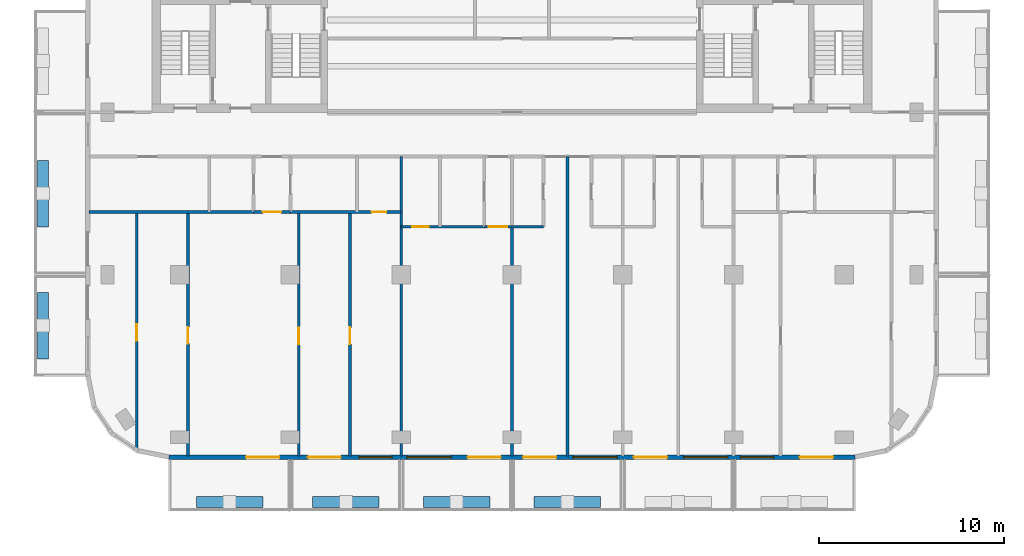
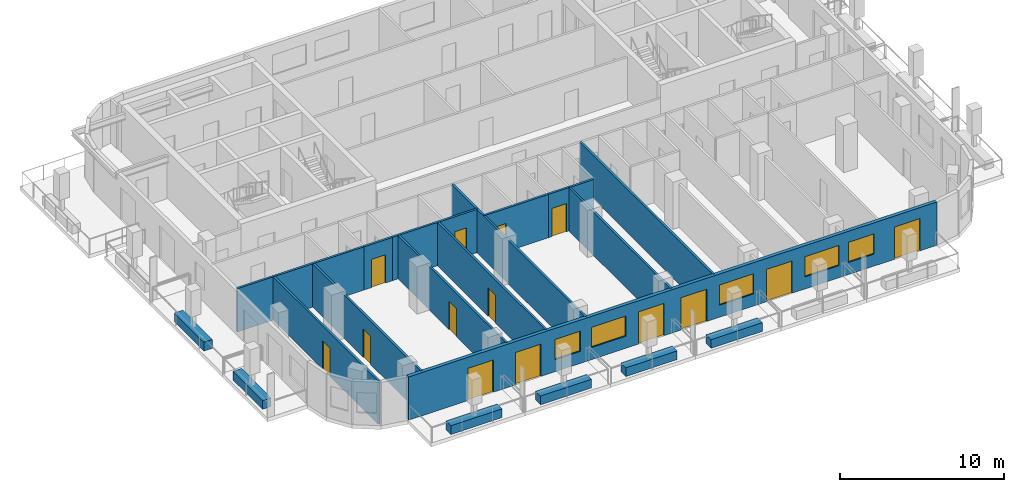
# One storey, part 2 of 11: 20 walls, 14 doors, 5 windows, 19 openings.
"""IFC4 building model written with IfcOpenShell, lengths in metres."""

from ifc_helpers import new_model, si_unit, direction, frame, frame_2d, origin, place, context, subcontext, project, spatial, rectangle, extrude, material, layer, layer_set, type_object, element, fill, save


model = new_model("IFC4")

# Units and contexts
model_context = context("Model", 3, precision=1e-05, world=origin(), true_north=direction((0.0, 1.0)))
body_context = subcontext(model_context, "Body", "Model", "MODEL_VIEW")
ifc_project = project(units=[si_unit("LENGTHUNIT", "METRE"), si_unit("AREAUNIT", "SQUARE_METRE"), si_unit("VOLUMEUNIT", "CUBIC_METRE"), si_unit("PLANEANGLEUNIT", "RADIAN"), si_unit("MASSUNIT", "GRAM", prefix="KILO")], contexts=[model_context])

# Site, building, storey
site_placement = place(None, origin())
site = spatial("IfcSite", under=ifc_project, at=site_placement, CompositionType="ELEMENT")
building_placement = place(site_placement, origin())
building = spatial("IfcBuilding", under=site, at=building_placement, Name="Torana Hotel and Residences", CompositionType="ELEMENT")
storey_placement = place(building_placement, frame((0.0, 0.0, 273.60009765625)))
storey = spatial("IfcBuildingStorey", under=building, at=storey_placement, Name="L72", CompositionType="ELEMENT", Elevation=273.60009765625)

# Wall, openings, doors, windows
ifc_material_1 = material(Name="Black aluminium composite panel", Category="aluminium")
ifc_layer_1 = layer(ifc_material_1, 0.00390625, Name="Cladding", Category="cladding")
ifc_material_2 = material(Name="Ventilated air cavity")
ifc_layer_2 = layer(ifc_material_2, 0.0400390625, Name="Ventilated cavity", Category="cavity")
ifc_material_3 = material(Name="Mineral wool insulation")
ifc_layer_3 = layer(ifc_material_3, 0.090087890625, Name="Insulation", Category="insulation")
ifc_material_4 = material(Name="Steel S280GD", Category="steel")
ifc_layer_4 = layer(ifc_material_4, 0.092041015625, Name="Steel stud frame", Category="structure")
ifc_material_5 = material(Name="Fire rated plasterboard")
ifc_layer_5 = layer(ifc_material_5, 0.011962890625, Name="Inner board", Category="finish")
ifc_layer_6 = layer(ifc_material_5, 0.011962890625, Name="Second board", Category="finish")
ifc_layer_set_1 = layer_set([ifc_layer_1, ifc_layer_2, ifc_layer_3, ifc_layer_4, ifc_layer_5, ifc_layer_6], Name="EW1 EXTERNAL WALL BLACK METAL CLAD 250")
wall_type_1 = type_object("IfcWallType", Name="EW1 EXTERNAL WALL BLACK METAL CLAD 250", PredefinedType="SOLIDWALL", material=ifc_layer_set_1)
wall_1_placement = place(storey_placement, frame((-18.575439453125, -33.675048828125, 0.0), z_axis=(0.0, 0.0, 1.0), x_axis=(1.0, 0.0, 0.0)))
wall_1 = element("IfcWall", 1, at=wall_1_placement, inside=storey, type_object=wall_type_1, Name="External wall L72 e0.14", PredefinedType="SOLIDWALL", context=body_context, shape_type="SweptSolid", body=[
    extrude(rectangle(XDim=37.15087890625, YDim=0.25, at=frame_2d((18.575439453125, 0.0))), origin(), (0.0, 0.0, 1.0), 3.219970703125),
])
opening_1_placement = place(wall_1_placement, frame((4.17529296875, 0.0, 0.0)))
opening_1 = element("IfcOpeningElement", 2, at=opening_1_placement, cuts=wall_1, Name="Opening L72-E01", PredefinedType="OPENING", context=body_context, shape_type="SweptSolid", body=[
    extrude(rectangle(XDim=1.800048828125, YDim=2.39990234375, at=frame_2d((0.89990234375, 1.199951171875))), frame((0.0, 0.135009765625, 0.0), z_axis=(0.0, -1.0, 0.0), x_axis=(1.0, 0.0, 0.0)), (0.0, 0.0, 1.0), 0.27001953125),
])
opening_2_placement = place(wall_1_placement, frame((7.512451171875, 0.0, 0.0)))
opening_2 = element("IfcOpeningElement", 3, at=opening_2_placement, cuts=wall_1, Name="Opening L72-E02", PredefinedType="OPENING", context=body_context, shape_type="SweptSolid", body=[
    extrude(rectangle(XDim=1.800048828125, YDim=2.39990234375, at=frame_2d((0.89990234375, 1.199951171875))), frame((0.0, 0.135009765625, 0.0), z_axis=(0.0, -1.0, 0.0), x_axis=(1.0, 0.0, 0.0)), (0.0, 0.0, 1.0), 0.27001953125),
])
opening_3_placement = place(wall_1_placement, frame((10.287353515625, 0.0, 0.89990234375)))
opening_3 = element("IfcOpeningElement", 4, at=opening_3_placement, cuts=wall_1, Name="Opening W4", PredefinedType="OPENING", context=body_context, shape_type="SweptSolid", body=[
    extrude(rectangle(XDim=1.800048828125, YDim=1.5, at=frame_2d((0.89990234375, 0.75))), frame((0.0, 0.135009765625, 0.0), z_axis=(0.0, -1.0, 0.0), x_axis=(1.0, 0.0, 0.0)), (0.0, 0.0, 1.0), 0.27001953125),
])
opening_4_placement = place(wall_1_placement, frame((12.87548828125, 0.0, 0.89990234375)))
opening_4 = element("IfcOpeningElement", 5, at=opening_4_placement, cuts=wall_1, Name="Opening W3", PredefinedType="OPENING", context=body_context, shape_type="SweptSolid", body=[
    extrude(rectangle(XDim=2.39990234375, YDim=1.5, at=frame_2d((1.199951171875, 0.75))), frame((0.0, 0.135009765625, 0.0), z_axis=(0.0, -1.0, 0.0), x_axis=(1.0, 0.0, 0.0)), (0.0, 0.0, 1.0), 0.27001953125),
])
opening_5_placement = place(wall_1_placement, frame((16.17529296875, 0.0, 0.0)))
opening_5 = element("IfcOpeningElement", 6, at=opening_5_placement, cuts=wall_1, Name="Opening L72-E03", PredefinedType="OPENING", context=body_context, shape_type="SweptSolid", body=[
    extrude(rectangle(XDim=1.800048828125, YDim=2.39990234375, at=frame_2d((0.89990234375, 1.199951171875))), frame((0.0, 0.135009765625, 0.0), z_axis=(0.0, -1.0, 0.0), x_axis=(1.0, 0.0, 0.0)), (0.0, 0.0, 1.0), 0.27001953125),
])
opening_6_placement = place(wall_1_placement, frame((19.17529296875, 0.0, 0.0)))
opening_6 = element("IfcOpeningElement", 7, at=opening_6_placement, cuts=wall_1, Name="Opening L72-E04", PredefinedType="OPENING", context=body_context, shape_type="SweptSolid", body=[
    extrude(rectangle(XDim=1.800048828125, YDim=2.39990234375, at=frame_2d((0.89990234375, 1.199951171875))), frame((0.0, 0.135009765625, 0.0), z_axis=(0.0, -1.0, 0.0), x_axis=(1.0, 0.0, 0.0)), (0.0, 0.0, 1.0), 0.27001953125),
])
opening_7_placement = place(wall_1_placement, frame((21.87548828125, 0.0, 0.89990234375)))
opening_7 = element("IfcOpeningElement", 8, at=opening_7_placement, cuts=wall_1, Name="Opening W3", PredefinedType="OPENING", context=body_context, shape_type="SweptSolid", body=[
    extrude(rectangle(XDim=2.39990234375, YDim=1.5, at=frame_2d((1.199951171875, 0.75))), frame((0.0, 0.135009765625, 0.0), z_axis=(0.0, -1.0, 0.0), x_axis=(1.0, 0.0, 0.0)), (0.0, 0.0, 1.0), 0.27001953125),
])
opening_8_placement = place(wall_1_placement, frame((25.17529296875, 0.0, 0.0)))
opening_8 = element("IfcOpeningElement", 9, at=opening_8_placement, cuts=wall_1, Name="Opening L72-E05", PredefinedType="OPENING", context=body_context, shape_type="SweptSolid", body=[
    extrude(rectangle(XDim=1.800048828125, YDim=2.39990234375, at=frame_2d((0.89990234375, 1.199951171875))), frame((0.0, 0.135009765625, 0.0), z_axis=(0.0, -1.0, 0.0), x_axis=(1.0, 0.0, 0.0)), (0.0, 0.0, 1.0), 0.27001953125),
])
opening_9_placement = place(wall_1_placement, frame((27.87548828125, 0.0, 0.89990234375)))
opening_9 = element("IfcOpeningElement", 10, at=opening_9_placement, cuts=wall_1, Name="Opening W3", PredefinedType="OPENING", context=body_context, shape_type="SweptSolid", body=[
    extrude(rectangle(XDim=2.39990234375, YDim=1.5, at=frame_2d((1.199951171875, 0.75))), frame((0.0, 0.135009765625, 0.0), z_axis=(0.0, -1.0, 0.0), x_axis=(1.0, 0.0, 0.0)), (0.0, 0.0, 1.0), 0.27001953125),
])
opening_10_placement = place(wall_1_placement, frame((30.950439453125, 0.0, 0.89990234375)))
opening_10 = element("IfcOpeningElement", 11, at=opening_10_placement, cuts=wall_1, Name="Opening W4", PredefinedType="OPENING", context=body_context, shape_type="SweptSolid", body=[
    extrude(rectangle(XDim=1.800048828125, YDim=1.5, at=frame_2d((0.89990234375, 0.75))), frame((0.0, 0.135009765625, 0.0), z_axis=(0.0, -1.0, 0.0), x_axis=(1.0, 0.0, 0.0)), (0.0, 0.0, 1.0), 0.27001953125),
])
opening_11_placement = place(wall_1_placement, frame((34.17529296875, 0.0, 0.0)))
opening_11 = element("IfcOpeningElement", 12, at=opening_11_placement, cuts=wall_1, Name="Opening L72-E06", PredefinedType="OPENING", context=body_context, shape_type="SweptSolid", body=[
    extrude(rectangle(XDim=1.800048828125, YDim=2.39990234375, at=frame_2d((0.89990234375, 1.199951171875))), frame((0.0, 0.135009765625, 0.0), z_axis=(0.0, -1.0, 0.0), x_axis=(1.0, 0.0, 0.0)), (0.0, 0.0, 1.0), 0.27001953125),
])
ifc_material_6 = material(Name="Dark glass in black aluminium frame", Category="aluminium")
door_type_1 = type_object("IfcDoorType", Name="DB1 BALCONY DOOR 1800x2400", OperationType="DOUBLE_DOOR_SINGLE_SWING", PredefinedType="DOOR", material=ifc_material_6)
door_1_placement = place(opening_1_placement, origin())
door_1 = element("IfcDoor", 13, at=door_1_placement, inside=storey, type_object=door_type_1, Name="Balcony door L72", OperationType="DOUBLE_DOOR_SINGLE_SWING", OverallHeight=2.39990234375, OverallWidth=1.800048828125, PredefinedType="DOOR", context=body_context, shape_type="SweptSolid", body=[
    extrude(rectangle(XDim=1.800048828125, YDim=2.39990234375, at=frame_2d((0.89990234375, 1.199951171875))), frame((0.0, 0.02490234375, 0.0), z_axis=(0.0, -1.0, 0.0), x_axis=(1.0, 0.0, 0.0)), (0.0, 0.0, 1.0), 0.050048828125),
])
fill(opening_1, door_1)
door_2_placement = place(opening_2_placement, origin())
door_2 = element("IfcDoor", 14, at=door_2_placement, inside=storey, type_object=door_type_1, Name="Balcony door L72", OperationType="DOUBLE_DOOR_SINGLE_SWING", OverallHeight=2.39990234375, OverallWidth=1.800048828125, PredefinedType="DOOR", context=body_context, shape_type="SweptSolid", body=[
    extrude(rectangle(XDim=1.800048828125, YDim=2.39990234375, at=frame_2d((0.89990234375, 1.199951171875))), frame((0.0, 0.02490234375, 0.0), z_axis=(0.0, -1.0, 0.0), x_axis=(1.0, 0.0, 0.0)), (0.0, 0.0, 1.0), 0.050048828125),
])
fill(opening_2, door_2)
door_3_placement = place(opening_5_placement, origin())
door_3 = element("IfcDoor", 15, at=door_3_placement, inside=storey, type_object=door_type_1, Name="Balcony door L72", OperationType="DOUBLE_DOOR_SINGLE_SWING", OverallHeight=2.39990234375, OverallWidth=1.800048828125, PredefinedType="DOOR", context=body_context, shape_type="SweptSolid", body=[
    extrude(rectangle(XDim=1.800048828125, YDim=2.39990234375, at=frame_2d((0.89990234375, 1.199951171875))), frame((0.0, 0.02490234375, 0.0), z_axis=(0.0, -1.0, 0.0), x_axis=(1.0, 0.0, 0.0)), (0.0, 0.0, 1.0), 0.050048828125),
])
fill(opening_5, door_3)
door_4_placement = place(opening_6_placement, origin())
door_4 = element("IfcDoor", 16, at=door_4_placement, inside=storey, type_object=door_type_1, Name="Balcony door L72", OperationType="DOUBLE_DOOR_SINGLE_SWING", OverallHeight=2.39990234375, OverallWidth=1.800048828125, PredefinedType="DOOR", context=body_context, shape_type="SweptSolid", body=[
    extrude(rectangle(XDim=1.800048828125, YDim=2.39990234375, at=frame_2d((0.89990234375, 1.199951171875))), frame((0.0, 0.02490234375, 0.0), z_axis=(0.0, -1.0, 0.0), x_axis=(1.0, 0.0, 0.0)), (0.0, 0.0, 1.0), 0.050048828125),
])
fill(opening_6, door_4)
door_5_placement = place(opening_8_placement, origin())
door_5 = element("IfcDoor", 17, at=door_5_placement, inside=storey, type_object=door_type_1, Name="Balcony door L72", OperationType="DOUBLE_DOOR_SINGLE_SWING", OverallHeight=2.39990234375, OverallWidth=1.800048828125, PredefinedType="DOOR", context=body_context, shape_type="SweptSolid", body=[
    extrude(rectangle(XDim=1.800048828125, YDim=2.39990234375, at=frame_2d((0.89990234375, 1.199951171875))), frame((0.0, 0.02490234375, 0.0), z_axis=(0.0, -1.0, 0.0), x_axis=(1.0, 0.0, 0.0)), (0.0, 0.0, 1.0), 0.050048828125),
])
fill(opening_8, door_5)
door_6_placement = place(opening_11_placement, origin())
door_6 = element("IfcDoor", 18, at=door_6_placement, inside=storey, type_object=door_type_1, Name="Balcony door L72", OperationType="DOUBLE_DOOR_SINGLE_SWING", OverallHeight=2.39990234375, OverallWidth=1.800048828125, PredefinedType="DOOR", context=body_context, shape_type="SweptSolid", body=[
    extrude(rectangle(XDim=1.800048828125, YDim=2.39990234375, at=frame_2d((0.89990234375, 1.199951171875))), frame((0.0, 0.02490234375, 0.0), z_axis=(0.0, -1.0, 0.0), x_axis=(1.0, 0.0, 0.0)), (0.0, 0.0, 1.0), 0.050048828125),
])
fill(opening_11, door_6)
ifc_material_7 = material(Name="Dark glass in black aluminium frame", Category="aluminium")
window_type_1 = type_object("IfcWindowType", Name="W3 RESIDENCE WINDOW 2400x1500", PartitioningType="SINGLE_PANEL", PredefinedType="WINDOW", material=ifc_material_7)
window_1_placement = place(opening_4_placement, origin())
window_1 = element("IfcWindow", 19, at=window_1_placement, inside=storey, type_object=window_type_1, Name="Window L72", OverallHeight=1.5, OverallWidth=2.39990234375, PartitioningType="SINGLE_PANEL", PredefinedType="WINDOW", context=body_context, shape_type="SweptSolid", body=[
    extrude(rectangle(XDim=2.39990234375, YDim=1.5, at=frame_2d((1.199951171875, 0.75))), frame((0.0, 0.030029296875, 0.0), z_axis=(0.0, -1.0, 0.0), x_axis=(1.0, 0.0, 0.0)), (0.0, 0.0, 1.0), 0.06005859375),
])
fill(opening_4, window_1)
window_2_placement = place(opening_7_placement, origin())
window_2 = element("IfcWindow", 20, at=window_2_placement, inside=storey, type_object=window_type_1, Name="Window L72", OverallHeight=1.5, OverallWidth=2.39990234375, PartitioningType="SINGLE_PANEL", PredefinedType="WINDOW", context=body_context, shape_type="SweptSolid", body=[
    extrude(rectangle(XDim=2.39990234375, YDim=1.5, at=frame_2d((1.199951171875, 0.75))), frame((0.0, 0.030029296875, 0.0), z_axis=(0.0, -1.0, 0.0), x_axis=(1.0, 0.0, 0.0)), (0.0, 0.0, 1.0), 0.06005859375),
])
fill(opening_7, window_2)
window_3_placement = place(opening_9_placement, origin())
window_3 = element("IfcWindow", 21, at=window_3_placement, inside=storey, type_object=window_type_1, Name="Window L72", OverallHeight=1.5, OverallWidth=2.39990234375, PartitioningType="SINGLE_PANEL", PredefinedType="WINDOW", context=body_context, shape_type="SweptSolid", body=[
    extrude(rectangle(XDim=2.39990234375, YDim=1.5, at=frame_2d((1.199951171875, 0.75))), frame((0.0, 0.030029296875, 0.0), z_axis=(0.0, -1.0, 0.0), x_axis=(1.0, 0.0, 0.0)), (0.0, 0.0, 1.0), 0.06005859375),
])
fill(opening_9, window_3)
ifc_material_8 = material(Name="Dark glass in black aluminium frame", Category="aluminium")
window_type_2 = type_object("IfcWindowType", Name="W4 RESIDENCE WINDOW NARROW 1800x1500", PartitioningType="SINGLE_PANEL", PredefinedType="WINDOW", material=ifc_material_8)
window_4_placement = place(opening_3_placement, origin())
window_4 = element("IfcWindow", 22, at=window_4_placement, inside=storey, type_object=window_type_2, Name="Window L72", OverallHeight=1.5, OverallWidth=1.800048828125, PartitioningType="SINGLE_PANEL", PredefinedType="WINDOW", context=body_context, shape_type="SweptSolid", body=[
    extrude(rectangle(XDim=1.800048828125, YDim=1.5, at=frame_2d((0.89990234375, 0.75))), frame((0.0, 0.030029296875, 0.0), z_axis=(0.0, -1.0, 0.0), x_axis=(1.0, 0.0, 0.0)), (0.0, 0.0, 1.0), 0.06005859375),
])
fill(opening_3, window_4)
window_5_placement = place(opening_10_placement, origin())
window_5 = element("IfcWindow", 23, at=window_5_placement, inside=storey, type_object=window_type_2, Name="Window L72", OverallHeight=1.5, OverallWidth=1.800048828125, PartitioningType="SINGLE_PANEL", PredefinedType="WINDOW", context=body_context, shape_type="SweptSolid", body=[
    extrude(rectangle(XDim=1.800048828125, YDim=1.5, at=frame_2d((0.89990234375, 0.75))), frame((0.0, 0.030029296875, 0.0), z_axis=(0.0, -1.0, 0.0), x_axis=(1.0, 0.0, 0.0)), (0.0, 0.0, 1.0), 0.06005859375),
])
fill(opening_10, window_5)

# Wall, opening, door
ifc_material_9 = material(Name="Gypsum plaster")
ifc_layer_7 = layer(ifc_material_9, 0.014892578125, Name="Plaster", Category="finish")
ifc_material_10 = material(Name="Concrete blockwork", Category="masonry")
ifc_layer_8 = layer(ifc_material_10, 0.1201171875, Name="Blockwork", Category="structure")
ifc_layer_9 = layer(ifc_material_9, 0.014892578125, Name="Plaster", Category="finish")
ifc_layer_set_2 = layer_set([ifc_layer_7, ifc_layer_8, ifc_layer_9], Name="FIRE PARTITION 150 BLOCKWORK")
wall_type_2 = type_object("IfcWallType", Name="FIRE PARTITION 150 BLOCKWORK", PredefinedType="PARTITIONING", material=ifc_layer_set_2)
wall_2_placement = place(storey_placement, frame((-1.5, -21.199951171875, 0.0), z_axis=(0.0, 0.0, 1.0), x_axis=(1.0, 0.0, 0.0)))
wall_2 = element("IfcWall", 24, at=wall_2_placement, inside=storey, type_object=wall_type_2, Name="Partition L72", PredefinedType="PARTITIONING", context=body_context, shape_type="SweptSolid", body=[
    extrude(rectangle(XDim=1.5, YDim=0.14990234375, at=frame_2d((0.75, 0.0))), origin(), (0.0, 0.0, 1.0), 3.219970703125),
])
opening_12_placement = place(wall_2_placement, frame((0.25, 0.0, 0.0)))
opening_12 = element("IfcOpeningElement", 25, at=opening_12_placement, cuts=wall_2, Name="Opening L72-38", PredefinedType="OPENING", context=body_context, shape_type="SweptSolid", body=[
    extrude(rectangle(XDim=1.0, YDim=2.10009765625, at=frame_2d((0.5, 1.050048828125))), frame((0.0, 0.0849609375, 0.0), z_axis=(0.0, -1.0, 0.0), x_axis=(1.0, 0.0, 0.0)), (0.0, 0.0, 1.0), 0.169921875),
])
ifc_material_11 = material(Name="Steel S235", Category="steel")
door_type_2 = type_object("IfcDoorType", Name="ENTRY FIRE DOOR D6 1000x2100", OperationType="SINGLE_SWING_LEFT", PredefinedType="DOOR", material=ifc_material_11)
door_7_placement = place(opening_12_placement, frame((0.5, 0.0, 0.0), z_axis=(0.0, 0.0, 1.0), x_axis=(-1.0, 0.0, 0.0)))
door_7 = element("IfcDoor", 26, at=door_7_placement, inside=storey, type_object=door_type_2, Name="Door L72", OperationType="SINGLE_SWING_RIGHT", OverallHeight=2.10009765625, OverallWidth=1.0, PredefinedType="DOOR", context=body_context, shape_type="SweptSolid", body=[
    extrude(rectangle(XDim=1.0, YDim=2.10009765625, at=frame_2d((0.0, 1.050048828125))), frame((0.0, -0.02490234375, 0.0), z_axis=(0.0, 1.0, 0.0), x_axis=(-1.0, 0.0, 0.0)), (0.0, 0.0, 1.0), 0.050048828125),
])
fill(opening_12, door_7)

wall_3_placement = place(storey_placement, frame((-14.0, -20.39990234375, 0.0), z_axis=(0.0, 0.0, 1.0), x_axis=(1.0, 0.0, 0.0)))
wall_3 = element("IfcWall", 27, at=wall_3_placement, inside=storey, type_object=wall_type_2, Name="Partition L72", PredefinedType="PARTITIONING", context=body_context, shape_type="SweptSolid", body=[
    extrude(rectangle(XDim=2.0, YDim=0.14990234375, at=frame_2d((1.0, 0.0))), origin(), (0.0, 0.0, 1.0), 3.219970703125),
])
opening_13_placement = place(wall_3_placement, frame((0.5, 0.0, 0.0)))
opening_13 = element("IfcOpeningElement", 28, at=opening_13_placement, cuts=wall_3, Name="Opening L72-46", PredefinedType="OPENING", context=body_context, shape_type="SweptSolid", body=[
    extrude(rectangle(XDim=1.0, YDim=2.10009765625, at=frame_2d((0.5, 1.050048828125))), frame((0.0, 0.0849609375, 0.0), z_axis=(0.0, -1.0, 0.0), x_axis=(1.0, 0.0, 0.0)), (0.0, 0.0, 1.0), 0.169921875),
])
door_8_placement = place(opening_13_placement, frame((0.5, 0.0, 0.0), z_axis=(0.0, 0.0, 1.0), x_axis=(-1.0, 0.0, 0.0)))
door_8 = element("IfcDoor", 29, at=door_8_placement, inside=storey, type_object=door_type_2, Name="Door L72", OperationType="SINGLE_SWING_RIGHT", OverallHeight=2.10009765625, OverallWidth=1.0, PredefinedType="DOOR", context=body_context, shape_type="SweptSolid", body=[
    extrude(rectangle(XDim=1.0, YDim=2.10009765625, at=frame_2d((0.0, 1.050048828125))), frame((0.0, -0.02490234375, 0.0), z_axis=(0.0, 1.0, 0.0), x_axis=(-1.0, 0.0, 0.0)), (0.0, 0.0, 1.0), 0.050048828125),
])
fill(opening_13, door_8)

# Walls
ifc_material_12 = material(Name="Gypsum plasterboard")
ifc_layer_10 = layer(ifc_material_12, 0.012451171875, Name="Plasterboard", Category="finish")
ifc_layer_11 = layer(ifc_material_12, 0.012451171875, Name="Plasterboard", Category="finish")
ifc_layer_12 = layer(ifc_material_4, 0.10009765625, Name="Steel studs with mineral wool", Category="insulation")
ifc_layer_13 = layer(ifc_material_12, 0.012451171875, Name="Plasterboard", Category="finish")
ifc_layer_14 = layer(ifc_material_12, 0.012451171875, Name="Plasterboard", Category="finish")
ifc_layer_set_3 = layer_set([ifc_layer_10, ifc_layer_11, ifc_layer_12, ifc_layer_13, ifc_layer_14], Name="PARTITION 150 PLASTERBOARD")
wall_type_3 = type_object("IfcWallType", Name="PARTITION 150 PLASTERBOARD", PredefinedType="PARTITIONING", material=ifc_layer_set_3)
wall_4_placement = place(storey_placement, frame((3.0, -33.6201171875, 0.0), z_axis=(0.0, 0.0, 1.0), x_axis=(0.0, 1.0, 0.0)))
element("IfcWall", 30, at=wall_4_placement, inside=storey, type_object=wall_type_3, Name="Partition L72", PredefinedType="PARTITIONING", context=body_context, shape_type="SweptSolid", body=[
    extrude(rectangle(XDim=16.22021484375, YDim=0.14990234375, at=frame_2d((8.110107421875, 0.0))), origin(), (0.0, 0.0, 1.0), 3.219970703125),
])
wall_5_placement = place(storey_placement, frame((0.0, -33.6201171875, 0.0), z_axis=(0.0, 0.0, 1.0), x_axis=(0.0, 1.0, 0.0)))
element("IfcWall", 31, at=wall_5_placement, inside=storey, type_object=wall_type_3, Name="Partition L72", PredefinedType="PARTITIONING", context=body_context, shape_type="SweptSolid", body=[
    extrude(rectangle(XDim=12.420166015625, YDim=0.14990234375, at=frame_2d((6.2099609375, 0.0))), origin(), (0.0, 0.0, 1.0), 3.219970703125),
])
wall_6_placement = place(storey_placement, frame((-6.0, -33.6201171875, 0.0), z_axis=(0.0, 0.0, 1.0), x_axis=(0.0, 1.0, 0.0)))
element("IfcWall", 32, at=wall_6_placement, inside=storey, type_object=wall_type_3, Name="Partition L72", PredefinedType="PARTITIONING", context=body_context, shape_type="SweptSolid", body=[
    extrude(rectangle(XDim=16.22021484375, YDim=0.14990234375, at=frame_2d((8.110107421875, 0.0))), origin(), (0.0, 0.0, 1.0), 3.219970703125),
])

# Wall, opening, door
wall_7_placement = place(storey_placement, frame((-8.77490234375, -33.6201171875, 0.0), z_axis=(0.0, 0.0, 1.0), x_axis=(0.0, 1.0, 0.0)))
wall_7 = element("IfcWall", 33, at=wall_7_placement, inside=storey, type_object=wall_type_3, Name="Partition L72", PredefinedType="PARTITIONING", context=body_context, shape_type="SweptSolid", body=[
    extrude(rectangle(XDim=13.22021484375, YDim=0.14990234375, at=frame_2d((6.610107421875, 0.0))), origin(), (0.0, 0.0, 1.0), 3.219970703125),
])
opening_14_placement = place(wall_7_placement, frame((6.070068359375, 0.0, 0.0)))
opening_14 = element("IfcOpeningElement", 34, at=opening_14_placement, cuts=wall_7, Name="Opening L72-49", PredefinedType="OPENING", context=body_context, shape_type="SweptSolid", body=[
    extrude(rectangle(XDim=0.89990234375, YDim=2.10009765625, at=frame_2d((0.449951171875, 1.050048828125))), frame((0.0, 0.0849609375, 0.0), z_axis=(0.0, -1.0, 0.0), x_axis=(1.0, 0.0, 0.0)), (0.0, 0.0, 1.0), 0.169921875),
])
ifc_material_13 = material(Name="Timber door, oiled ash", Category="wood")
door_type_3 = type_object("IfcDoorType", Name="ROOM DOOR D7 900x2100", OperationType="SINGLE_SWING_LEFT", PredefinedType="DOOR", material=ifc_material_13)
door_9_placement = place(opening_14_placement, origin())
door_9 = element("IfcDoor", 35, at=door_9_placement, inside=storey, type_object=door_type_3, Name="Door L72", OperationType="SINGLE_SWING_RIGHT", OverallHeight=2.10009765625, OverallWidth=0.89990234375, PredefinedType="DOOR", context=body_context, shape_type="SweptSolid", body=[
    extrude(rectangle(XDim=0.89990234375, YDim=2.10009765625, at=frame_2d((0.449951171875, 1.050048828125))), frame((0.0, 0.02490234375, 0.0), z_axis=(0.0, -1.0, 0.0), x_axis=(1.0, 0.0, 0.0)), (0.0, 0.0, 1.0), 0.050048828125),
])
fill(opening_14, door_9)

wall_8_placement = place(storey_placement, frame((-11.550048828125, -33.6201171875, 0.0), z_axis=(0.0, 0.0, 1.0), x_axis=(0.0, 1.0, 0.0)))
wall_8 = element("IfcWall", 36, at=wall_8_placement, inside=storey, type_object=wall_type_3, Name="Partition L72", PredefinedType="PARTITIONING", context=body_context, shape_type="SweptSolid", body=[
    extrude(rectangle(XDim=13.22021484375, YDim=0.14990234375, at=frame_2d((6.610107421875, 0.0))), origin(), (0.0, 0.0, 1.0), 3.219970703125),
])
opening_15_placement = place(wall_8_placement, frame((6.050048828125, 0.0, 0.0)))
opening_15 = element("IfcOpeningElement", 37, at=opening_15_placement, cuts=wall_8, Name="Opening L72-47", PredefinedType="OPENING", context=body_context, shape_type="SweptSolid", body=[
    extrude(rectangle(XDim=0.89990234375, YDim=2.10009765625, at=frame_2d((0.449951171875, 1.050048828125))), frame((0.0, 0.0849609375, 0.0), z_axis=(0.0, -1.0, 0.0), x_axis=(1.0, 0.0, 0.0)), (0.0, 0.0, 1.0), 0.169921875),
])
door_10_placement = place(opening_15_placement, origin())
door_10 = element("IfcDoor", 38, at=door_10_placement, inside=storey, type_object=door_type_3, Name="Door L72", OperationType="SINGLE_SWING_RIGHT", OverallHeight=2.10009765625, OverallWidth=0.89990234375, PredefinedType="DOOR", context=body_context, shape_type="SweptSolid", body=[
    extrude(rectangle(XDim=0.89990234375, YDim=2.10009765625, at=frame_2d((0.449951171875, 1.050048828125))), frame((0.0, 0.02490234375, 0.0), z_axis=(0.0, -1.0, 0.0), x_axis=(1.0, 0.0, 0.0)), (0.0, 0.0, 1.0), 0.050048828125),
])
fill(opening_15, door_10)

wall_9_placement = place(storey_placement, frame((-17.550048828125, -33.6201171875, 0.0), z_axis=(0.0, 0.0, 1.0), x_axis=(0.0, 1.0, 0.0)))
wall_9 = element("IfcWall", 39, at=wall_9_placement, inside=storey, type_object=wall_type_3, Name="Partition L72", PredefinedType="PARTITIONING", context=body_context, shape_type="SweptSolid", body=[
    extrude(rectangle(XDim=13.22021484375, YDim=0.14990234375, at=frame_2d((6.610107421875, 0.0))), origin(), (0.0, 0.0, 1.0), 3.219970703125),
])
opening_16_placement = place(wall_9_placement, frame((6.090087890625, 0.0, 0.0)))
opening_16 = element("IfcOpeningElement", 40, at=opening_16_placement, cuts=wall_9, Name="Opening L72-48", PredefinedType="OPENING", context=body_context, shape_type="SweptSolid", body=[
    extrude(rectangle(XDim=0.89990234375, YDim=2.10009765625, at=frame_2d((0.449951171875, 1.050048828125))), frame((0.0, 0.0849609375, 0.0), z_axis=(0.0, -1.0, 0.0), x_axis=(1.0, 0.0, 0.0)), (0.0, 0.0, 1.0), 0.169921875),
])
door_11_placement = place(opening_16_placement, origin())
door_11 = element("IfcDoor", 41, at=door_11_placement, inside=storey, type_object=door_type_3, Name="Door L72", OperationType="SINGLE_SWING_RIGHT", OverallHeight=2.10009765625, OverallWidth=0.89990234375, PredefinedType="DOOR", context=body_context, shape_type="SweptSolid", body=[
    extrude(rectangle(XDim=0.89990234375, YDim=2.10009765625, at=frame_2d((0.449951171875, 1.050048828125))), frame((0.0, 0.02490234375, 0.0), z_axis=(0.0, -1.0, 0.0), x_axis=(1.0, 0.0, 0.0)), (0.0, 0.0, 1.0), 0.050048828125),
])
fill(opening_16, door_11)

wall_10_placement = place(storey_placement, frame((-20.324951171875, -33.239013671875, 0.0), z_axis=(0.0, 0.0, 1.0), x_axis=(0.0, 1.0, 0.0)))
wall_10 = element("IfcWall", 42, at=wall_10_placement, inside=storey, type_object=wall_type_3, Name="Partition L72", PredefinedType="PARTITIONING", context=body_context, shape_type="SweptSolid", body=[
    extrude(rectangle(XDim=12.839111328125, YDim=0.14990234375, at=frame_2d((6.41943359375, 0.0))), origin(), (0.0, 0.0, 1.0), 3.219970703125),
])
opening_17_placement = place(wall_10_placement, frame((5.85302734375, 0.0, 0.0)))
opening_17 = element("IfcOpeningElement", 43, at=opening_17_placement, cuts=wall_10, Name="Opening L72-50", PredefinedType="OPENING", context=body_context, shape_type="SweptSolid", body=[
    extrude(rectangle(XDim=0.89990234375, YDim=2.10009765625, at=frame_2d((0.449951171875, 1.050048828125))), frame((0.0, 0.0849609375, 0.0), z_axis=(0.0, -1.0, 0.0), x_axis=(1.0, 0.0, 0.0)), (0.0, 0.0, 1.0), 0.169921875),
])
door_12_placement = place(opening_17_placement, origin())
door_12 = element("IfcDoor", 44, at=door_12_placement, inside=storey, type_object=door_type_3, Name="Door L72", OperationType="SINGLE_SWING_RIGHT", OverallHeight=2.10009765625, OverallWidth=0.89990234375, PredefinedType="DOOR", context=body_context, shape_type="SweptSolid", body=[
    extrude(rectangle(XDim=0.89990234375, YDim=2.10009765625, at=frame_2d((0.449951171875, 1.050048828125))), frame((0.0, 0.02490234375, 0.0), z_axis=(0.0, -1.0, 0.0), x_axis=(1.0, 0.0, 0.0)), (0.0, 0.0, 1.0), 0.050048828125),
])
fill(opening_17, door_12)

wall_11_placement = place(storey_placement, frame((-6.0, -21.199951171875, 0.0), z_axis=(0.0, 0.0, 1.0), x_axis=(1.0, 0.0, 0.0)))
wall_11 = element("IfcWall", 45, at=wall_11_placement, inside=storey, type_object=wall_type_3, Name="Partition L72", PredefinedType="PARTITIONING", context=body_context, shape_type="SweptSolid", body=[
    extrude(rectangle(XDim=4.5, YDim=0.14990234375, at=frame_2d((2.25, 0.0))), origin(), (0.0, 0.0, 1.0), 3.219970703125),
])
opening_18_placement = place(wall_11_placement, frame((0.60009765625, 0.0, 0.0)))
opening_18 = element("IfcOpeningElement", 46, at=opening_18_placement, cuts=wall_11, Name="Opening L72-36", PredefinedType="OPENING", context=body_context, shape_type="SweptSolid", body=[
    extrude(rectangle(XDim=0.89990234375, YDim=2.10009765625, at=frame_2d((0.449951171875, 1.050048828125))), frame((0.0, 0.0849609375, 0.0), z_axis=(0.0, -1.0, 0.0), x_axis=(1.0, 0.0, 0.0)), (0.0, 0.0, 1.0), 0.169921875),
])
door_13_placement = place(opening_18_placement, origin())
door_13 = element("IfcDoor", 47, at=door_13_placement, inside=storey, type_object=door_type_3, Name="Door L72", OperationType="SINGLE_SWING_RIGHT", OverallHeight=2.10009765625, OverallWidth=0.89990234375, PredefinedType="DOOR", context=body_context, shape_type="SweptSolid", body=[
    extrude(rectangle(XDim=0.89990234375, YDim=2.10009765625, at=frame_2d((0.449951171875, 1.050048828125))), frame((0.0, 0.02490234375, 0.0), z_axis=(0.0, -1.0, 0.0), x_axis=(1.0, 0.0, 0.0)), (0.0, 0.0, 1.0), 0.050048828125),
])
fill(opening_18, door_13)

# Walls
wall_12_placement = place(storey_placement, frame((0.0, -21.199951171875, 0.0), z_axis=(0.0, 0.0, 1.0), x_axis=(1.0, 0.0, 0.0)))
element("IfcWall", 48, at=wall_12_placement, inside=storey, type_object=wall_type_3, Name="Partition L72", PredefinedType="PARTITIONING", context=body_context, shape_type="SweptSolid", body=[
    extrude(rectangle(XDim=1.699951171875, YDim=0.14990234375, at=frame_2d((0.85009765625, 0.0))), origin(), (0.0, 0.0, 1.0), 3.219970703125),
])
wall_13_placement = place(storey_placement, frame((-22.919921875, -20.39990234375, 0.0), z_axis=(0.0, 0.0, 1.0), x_axis=(1.0, 0.0, 0.0)))
element("IfcWall", 49, at=wall_13_placement, inside=storey, type_object=wall_type_3, Name="Partition L72", PredefinedType="PARTITIONING", context=body_context, shape_type="SweptSolid", body=[
    extrude(rectangle(XDim=8.919921875, YDim=0.14990234375, at=frame_2d((4.4599609375, 0.0))), origin(), (0.0, 0.0, 1.0), 3.219970703125),
])

# Wall, opening, door
wall_14_placement = place(storey_placement, frame((-12.0, -20.39990234375, 0.0), z_axis=(0.0, 0.0, 1.0), x_axis=(1.0, 0.0, 0.0)))
wall_14 = element("IfcWall", 50, at=wall_14_placement, inside=storey, type_object=wall_type_3, Name="Partition L72", PredefinedType="PARTITIONING", context=body_context, shape_type="SweptSolid", body=[
    extrude(rectangle(XDim=6.0, YDim=0.14990234375, at=frame_2d((3.0, 0.0))), origin(), (0.0, 0.0, 1.0), 3.219970703125),
])
opening_19_placement = place(wall_14_placement, frame((4.39990234375, 0.0, 0.0)))
opening_19 = element("IfcOpeningElement", 51, at=opening_19_placement, cuts=wall_14, Name="Opening L72-43", PredefinedType="OPENING", context=body_context, shape_type="SweptSolid", body=[
    extrude(rectangle(XDim=0.800048828125, YDim=2.10009765625, at=frame_2d((0.39990234375, 1.050048828125))), frame((0.0, 0.0849609375, 0.0), z_axis=(0.0, -1.0, 0.0), x_axis=(1.0, 0.0, 0.0)), (0.0, 0.0, 1.0), 0.169921875),
])
ifc_material_14 = material(Name="Timber door, painted", Category="wood")
door_type_4 = type_object("IfcDoorType", Name="BATH DOOR D13 800x2100", OperationType="SINGLE_SWING_LEFT", PredefinedType="DOOR", material=ifc_material_14)
door_14_placement = place(opening_19_placement, origin())
door_14 = element("IfcDoor", 52, at=door_14_placement, inside=storey, type_object=door_type_4, Name="Door L72", OperationType="SINGLE_SWING_RIGHT", OverallHeight=2.10009765625, OverallWidth=0.800048828125, PredefinedType="DOOR", context=body_context, shape_type="SweptSolid", body=[
    extrude(rectangle(XDim=0.800048828125, YDim=2.10009765625, at=frame_2d((0.39990234375, 1.050048828125))), frame((0.0, 0.02490234375, 0.0), z_axis=(0.0, -1.0, 0.0), x_axis=(1.0, 0.0, 0.0)), (0.0, 0.0, 1.0), 0.050048828125),
])
fill(opening_19, door_14)

# Walls
ifc_material_15 = material(Name="Concrete C40/50 precast", Category="concrete")
ifc_layer_15 = layer(ifc_material_15, 0.10009765625, Name="Planter shell", Category="structure")
ifc_material_16 = material(Name="Root resistant membrane")
ifc_layer_16 = layer(ifc_material_16, 0.00390625, Name="Waterproofing membrane", Category="membrane")
ifc_material_17 = material(Name="Drainage board with filter fleece")
ifc_layer_17 = layer(ifc_material_17, 0.02001953125, Name="Drainage board", Category="drainage")
ifc_material_18 = material(Name="Growing medium")
ifc_layer_18 = layer(ifc_material_18, 0.47607421875, Name="Planting substrate", Category="soil")
ifc_layer_set_4 = layer_set([ifc_layer_15, ifc_layer_16, ifc_layer_17, ifc_layer_18], Name="PL1 BALCONY PLANTER 600")
wall_type_4 = type_object("IfcWallType", Name="PL1 BALCONY PLANTER 600", PredefinedType="USERDEFINED", material=ifc_layer_set_4)
for number, where, z_axis, x_axis, name in (
    (53, (-13.5, -36.10009765625, 0.0), (0.0, 0.0, 1.0), (-1.0, 0.0, 0.0), "Planter 01"),
    (54, (-7.199951171875, -36.10009765625, 0.0), (0.0, 0.0, 1.0), (-1.0, 0.0, 0.0), "Planter 02"),
    (55, (-1.199951171875, -36.10009765625, 0.0), (0.0, 0.0, 1.0), (-1.0, 0.0, 0.0), "Planter 03"),
    (56, (4.800048828125, -36.10009765625, 0.0), (0.0, 0.0, 1.0), (-1.0, 0.0, 0.0), "Planter 04"),
    (57, (-25.39990234375, -28.35009765625, 0.0), (0.0, 0.0, 1.0), (0.0, 1.0, 0.0), "Planter 07"),
):
    element("IfcWall", number, at=place(storey_placement, frame(where, z_axis=z_axis, x_axis=x_axis)), inside=storey, type_object=wall_type_4, Name=name, ObjectType="PLANTER", PredefinedType="USERDEFINED", context=body_context, shape_type="SweptSolid", body=[
        extrude(rectangle(XDim=3.60009765625, YDim=0.60009765625, at=frame_2d((1.800048828125, 0.0))), origin(), (0.0, 0.0, 1.0), 0.64990234375),
    ])
wall_15_placement = place(storey_placement, frame((-25.39990234375, -21.199951171875, 0.0), z_axis=(0.0, 0.0, 1.0), x_axis=(0.0, 1.0, 0.0)))
element("IfcWall", 58, at=wall_15_placement, inside=storey, type_object=wall_type_4, Name="Planter 08", ObjectType="PLANTER", PredefinedType="USERDEFINED", context=body_context, shape_type="SweptSolid", body=[
    extrude(rectangle(XDim=3.599853515625, YDim=0.60009765625, at=frame_2d((1.7998046875, 0.0))), origin(), (0.0, 0.0, 1.0), 0.64990234375),
])

save(model, "model.ifc")
